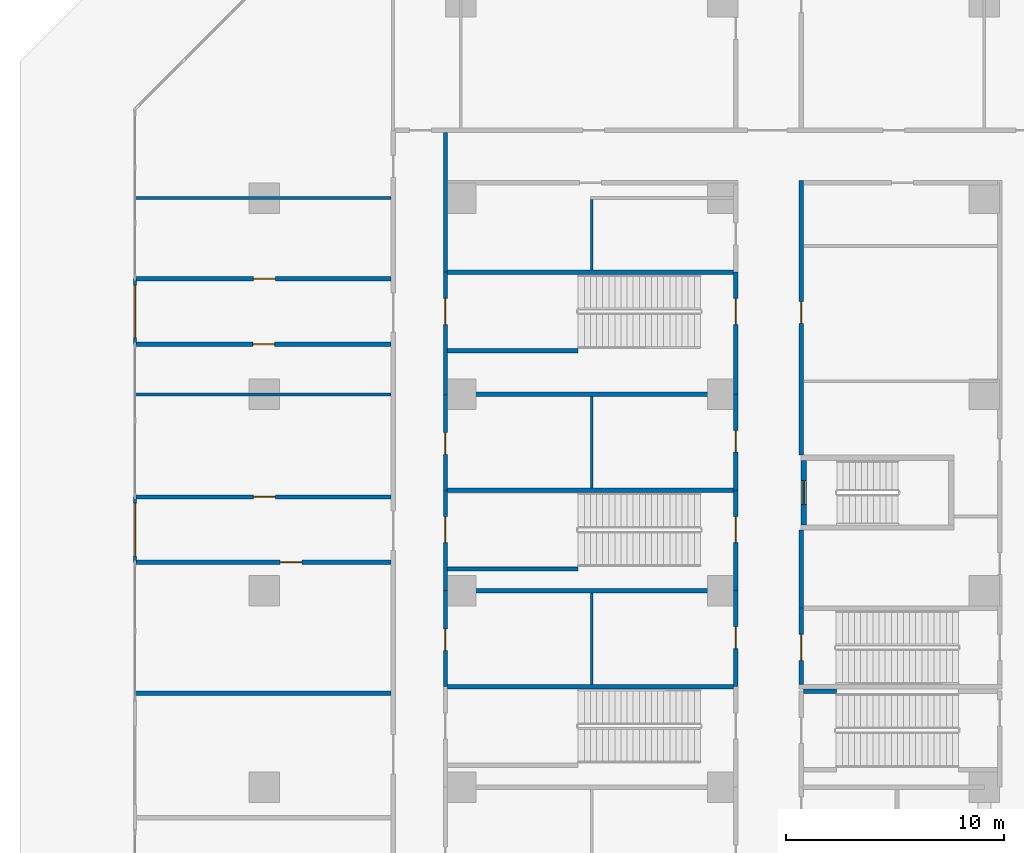
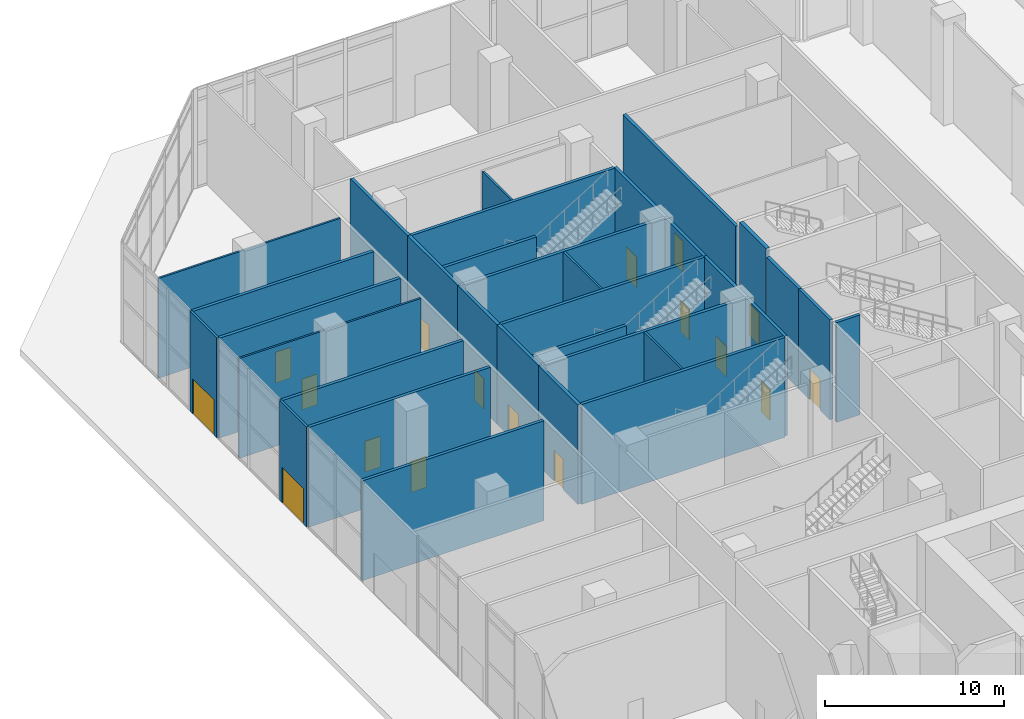
# One storey, part 24 of 34: 33 walls, 17 doors, 17 openings.
"""IFC4 building model written with IfcOpenShell, lengths in metres."""

from ifc_helpers import new_model, si_unit, direction, frame, frame_2d, origin, place, context, subcontext, project, spatial, rectangle, extrude, material, layer, layer_set, type_object, element, fill, save


model = new_model("IFC4")

# Units and contexts
model_context = context("Model", 3, precision=1e-05, world=origin(), true_north=direction((0.0, 1.0)))
body_context = subcontext(model_context, "Body", "Model", "MODEL_VIEW")
ifc_project = project(units=[si_unit("LENGTHUNIT", "METRE"), si_unit("AREAUNIT", "SQUARE_METRE"), si_unit("VOLUMEUNIT", "CUBIC_METRE"), si_unit("PLANEANGLEUNIT", "RADIAN"), si_unit("MASSUNIT", "GRAM", prefix="KILO")], contexts=[model_context])

# Site, building, storey
site_placement = place(None, origin())
site = spatial("IfcSite", under=ifc_project, at=site_placement, CompositionType="ELEMENT")
building_placement = place(site_placement, origin())
building = spatial("IfcBuilding", under=site, at=building_placement, Name="Chenar Terraces", CompositionType="ELEMENT")
storey_placement = place(building_placement, origin())
storey = spatial("IfcBuildingStorey", under=building, at=storey_placement, Name="L00", CompositionType="ELEMENT", Elevation=0.0)

# Walls
ifc_material_1 = material(Name="Gypsum board on steel studs with mineral wool", Category="steel")
ifc_layer_1 = layer(ifc_material_1, 0.125)
ifc_layer_set_1 = layer_set([ifc_layer_1], Name="Gypsum board on steel studs with mineral wool")
wall_type_1 = type_object("IfcWallType", Name="Acoustic partition 125", PredefinedType="PARTITIONING", material=ifc_layer_set_1)
for number, where, z_axis, x_axis, name in (
    (1, (-14.925048828125, 54.0, 0.0), (0.0, 0.0, 1.0), (1.0, 0.0, 0.0), "Partition L00-009"),
    (2, (-14.925048828125, 63.0, 0.0), (0.0, 0.0, 1.0), (1.0, 0.0, 0.0), "Partition L00-012"),
):
    element("IfcWall", number, at=place(storey_placement, frame(where, z_axis=z_axis, x_axis=x_axis)), inside=storey, type_object=wall_type_1, Name=name, PredefinedType="PARTITIONING", context=body_context, shape_type="SweptSolid", body=[
        extrude(rectangle(XDim=11.72509765625, YDim=0.125, at=frame_2d((5.862548828125, 0.0))), origin(), (0.0, 0.0, 1.0), 6.800048828125),
    ])
for number, where, z_axis, x_axis, name in (
    (3, (6.0, 40.699951171875, 0.0), (0.0, 0.0, 1.0), (0.0, 1.0, 0.0), "Partition L00-044"),
    (4, (6.0, 49.699951171875, 0.0), (0.0, 0.0, 1.0), (0.0, 1.0, 0.0), "Partition L00-045"),
):
    element("IfcWall", number, at=place(storey_placement, frame(where, z_axis=z_axis, x_axis=x_axis)), inside=storey, type_object=wall_type_1, Name=name, PredefinedType="PARTITIONING", context=body_context, shape_type="SweptSolid", body=[
        extrude(rectangle(XDim=4.199951171875, YDim=0.125, at=frame_2d((2.10009765625, 0.0))), origin(), (0.0, 0.0, 1.0), 6.800048828125),
    ])
wall_1_placement = place(storey_placement, frame((6.0, 59.699951171875, 0.0), z_axis=(0.0, 0.0, 1.0), x_axis=(0.0, 1.0, 0.0)))
element("IfcWall", 5, at=wall_1_placement, inside=storey, type_object=wall_type_1, Name="Partition L00-046", PredefinedType="PARTITIONING", context=body_context, shape_type="SweptSolid", body=[
    extrude(rectangle(XDim=3.238037109375, YDim=0.125, at=frame_2d((1.619140625, 0.0))), origin(), (0.0, 0.0, 1.0), 6.800048828125),
])

# Wall, opening, door
ifc_material_2 = material(Name="Concrete C70/85", Category="concrete")
ifc_layer_2 = layer(ifc_material_2, 0.25)
ifc_layer_set_2 = layer_set([ifc_layer_2], Name="Concrete C70/85")
wall_type_2 = type_object("IfcWallType", Name="Core wall 250 Concrete C70/85", PredefinedType="SHEAR", material=ifc_layer_set_2)
wall_2_placement = place(storey_placement, frame((15.72509765625, 48.02490234375, 0.0), z_axis=(0.0, 0.0, 1.0), x_axis=(0.0, 1.0, 0.0)))
wall_2 = element("IfcWall", 6, at=wall_2_placement, inside=storey, type_object=wall_type_2, Name="Core wall ST4_W L00", PredefinedType="SHEAR", context=body_context, shape_type="SweptSolid", body=[
    extrude(rectangle(XDim=2.9501953125, YDim=0.25, at=frame_2d((1.47509765625, 0.0))), origin(), (0.0, 0.0, 1.0), 7.199951171875),
])
opening_1_placement = place(wall_2_placement, frame((0.925048828125, 0.0, 0.0)))
opening_1 = element("IfcOpeningElement", 7, at=opening_1_placement, cuts=wall_2, Name="Opening DL00-C9", PredefinedType="OPENING", context=body_context, shape_type="SweptSolid", body=[
    extrude(rectangle(XDim=1.10009765625, YDim=2.199951171875, at=frame_2d((0.550048828125, 1.10009765625))), frame((0.0, 0.135009765625, 0.0), z_axis=(0.0, -1.0, 0.0), x_axis=(1.0, 0.0, 0.0)), (0.0, 0.0, 1.0), 0.27001953125),
])
ifc_material_3 = material(Name="Steel-framed fire-resisting door leaf", Category="steel")
door_type_1 = type_object("IfcDoorType", Name="Stair fire door FD60 1100 x 2200", OperationType="SINGLE_SWING_LEFT", PredefinedType="DOOR", material=ifc_material_3)
door_1_placement = place(opening_1_placement, frame((1.10009765625, 0.0, 0.0), z_axis=(0.0, 0.0, 1.0), x_axis=(-1.0, 0.0, 0.0)))
door_1 = element("IfcDoor", 8, at=door_1_placement, inside=storey, type_object=door_type_1, Name="Stair door DL00-C9", OperationType="SINGLE_SWING_RIGHT", OverallHeight=2.199951171875, OverallWidth=1.10009765625, PredefinedType="DOOR", context=body_context, shape_type="SweptSolid", body=[
    extrude(rectangle(XDim=1.10009765625, YDim=2.199951171875, at=frame_2d((0.550048828125, 1.10009765625))), frame((0.0, 0.02490234375, 0.0), z_axis=(0.0, -1.0, 0.0), x_axis=(1.0, 0.0, 0.0)), (0.0, 0.0, 1.0), 0.050048828125),
])
fill(opening_1, door_1)

# Wall
ifc_material_4 = material(Name="Gypsum board on steel studs with fire boards", Category="steel")
ifc_layer_3 = layer(ifc_material_4, 0.199951171875)
ifc_layer_set_3 = layer_set([ifc_layer_3], Name="Gypsum board on steel studs with fire boards")
wall_type_3 = type_object("IfcWallType", Name="Corridor wall 200", PredefinedType="PARTITIONING", material=ifc_layer_set_3)
wall_3_placement = place(storey_placement, frame((-14.925048828125, 40.300048828125, 0.0), z_axis=(0.0, 0.0, 1.0), x_axis=(1.0, 0.0, 0.0)))
element("IfcWall", 9, at=wall_3_placement, inside=storey, type_object=wall_type_3, Name="Partition L00-006", PredefinedType="PARTITIONING", context=body_context, shape_type="SweptSolid", body=[
    extrude(rectangle(XDim=11.72509765625, YDim=0.199951171875, at=frame_2d((5.862548828125, 0.0))), origin(), (0.0, 0.0, 1.0), 6.800048828125),
])

# Wall, opening, door
wall_4_placement = place(storey_placement, frame((-14.925048828125, 46.300048828125, 0.0), z_axis=(0.0, 0.0, 1.0), x_axis=(1.0, 0.0, 0.0)))
wall_4 = element("IfcWall", 10, at=wall_4_placement, inside=storey, type_object=wall_type_3, Name="Partition L00-007", PredefinedType="PARTITIONING", context=body_context, shape_type="SweptSolid", body=[
    extrude(rectangle(XDim=11.72509765625, YDim=0.199951171875, at=frame_2d((5.862548828125, 0.0))), origin(), (0.0, 0.0, 1.0), 6.800048828125),
])
opening_2_placement = place(wall_4_placement, frame((6.64990234375, 0.0, 0.0)))
opening_2 = element("IfcOpeningElement", 11, at=opening_2_placement, cuts=wall_4, Name="Opening DL00-78", PredefinedType="OPENING", context=body_context, shape_type="SweptSolid", body=[
    extrude(rectangle(XDim=1.0, YDim=2.10009765625, at=frame_2d((0.5, 1.050048828125))), frame((0.0, 0.10986328125, 0.0), z_axis=(0.0, -1.0, 0.0), x_axis=(1.0, 0.0, 0.0)), (0.0, 0.0, 1.0), 0.219970703125),
])
ifc_material_5 = material(Name="Steel-framed fire-resisting door leaf", Category="steel")
door_type_2 = type_object("IfcDoorType", Name="Fire door FD60 1000 x 2100", OperationType="SINGLE_SWING_LEFT", PredefinedType="DOOR", material=ifc_material_5)
door_2_placement = place(opening_2_placement, frame((1.0, 0.0, 0.0), z_axis=(0.0, 0.0, 1.0), x_axis=(-1.0, 0.0, 0.0)))
door_2 = element("IfcDoor", 12, at=door_2_placement, inside=storey, type_object=door_type_2, Name="Door DL00-78", OperationType="SINGLE_SWING_LEFT", OverallHeight=2.10009765625, OverallWidth=1.0, PredefinedType="DOOR", context=body_context, shape_type="SweptSolid", body=[
    extrude(rectangle(XDim=1.0, YDim=2.10009765625, at=frame_2d((0.5, 1.050048828125))), frame((0.0, 0.02490234375, 0.0), z_axis=(0.0, -1.0, 0.0), x_axis=(1.0, 0.0, 0.0)), (0.0, 0.0, 1.0), 0.050048828125),
])
fill(opening_2, door_2)

wall_5_placement = place(storey_placement, frame((-14.925048828125, 49.300048828125, 0.0), z_axis=(0.0, 0.0, 1.0), x_axis=(1.0, 0.0, 0.0)))
wall_5 = element("IfcWall", 13, at=wall_5_placement, inside=storey, type_object=wall_type_3, Name="Partition L00-008", PredefinedType="PARTITIONING", context=body_context, shape_type="SweptSolid", body=[
    extrude(rectangle(XDim=11.72509765625, YDim=0.199951171875, at=frame_2d((5.862548828125, 0.0))), origin(), (0.0, 0.0, 1.0), 6.800048828125),
])
opening_3_placement = place(wall_5_placement, frame((5.425048828125, 0.0, 0.0)))
opening_3 = element("IfcOpeningElement", 14, at=opening_3_placement, cuts=wall_5, Name="Opening DL00-79", PredefinedType="OPENING", context=body_context, shape_type="SweptSolid", body=[
    extrude(rectangle(XDim=1.0, YDim=2.10009765625, at=frame_2d((0.5, 1.050048828125))), frame((0.0, 0.10986328125, 0.0), z_axis=(0.0, -1.0, 0.0), x_axis=(1.0, 0.0, 0.0)), (0.0, 0.0, 1.0), 0.219970703125),
])
door_3_placement = place(opening_3_placement, origin())
door_3 = element("IfcDoor", 15, at=door_3_placement, inside=storey, type_object=door_type_2, Name="Door DL00-79", OperationType="SINGLE_SWING_RIGHT", OverallHeight=2.10009765625, OverallWidth=1.0, PredefinedType="DOOR", context=body_context, shape_type="SweptSolid", body=[
    extrude(rectangle(XDim=1.0, YDim=2.10009765625, at=frame_2d((0.5, 1.050048828125))), frame((0.0, 0.02490234375, 0.0), z_axis=(0.0, -1.0, 0.0), x_axis=(1.0, 0.0, 0.0)), (0.0, 0.0, 1.0), 0.050048828125),
])
fill(opening_3, door_3)

wall_6_placement = place(storey_placement, frame((-14.925048828125, 56.300048828125, 0.0), z_axis=(0.0, 0.0, 1.0), x_axis=(1.0, 0.0, 0.0)))
wall_6 = element("IfcWall", 16, at=wall_6_placement, inside=storey, type_object=wall_type_3, Name="Partition L00-010", PredefinedType="PARTITIONING", context=body_context, shape_type="SweptSolid", body=[
    extrude(rectangle(XDim=11.72509765625, YDim=0.199951171875, at=frame_2d((5.862548828125, 0.0))), origin(), (0.0, 0.0, 1.0), 6.800048828125),
])
opening_4_placement = place(wall_6_placement, frame((5.39990234375, 0.0, 0.0)))
opening_4 = element("IfcOpeningElement", 17, at=opening_4_placement, cuts=wall_6, Name="Opening DL00-80", PredefinedType="OPENING", context=body_context, shape_type="SweptSolid", body=[
    extrude(rectangle(XDim=1.0, YDim=2.10009765625, at=frame_2d((0.5, 1.050048828125))), frame((0.0, 0.10986328125, 0.0), z_axis=(0.0, -1.0, 0.0), x_axis=(1.0, 0.0, 0.0)), (0.0, 0.0, 1.0), 0.219970703125),
])
door_4_placement = place(opening_4_placement, frame((1.0, 0.0, 0.0), z_axis=(0.0, 0.0, 1.0), x_axis=(-1.0, 0.0, 0.0)))
door_4 = element("IfcDoor", 18, at=door_4_placement, inside=storey, type_object=door_type_2, Name="Door DL00-80", OperationType="SINGLE_SWING_LEFT", OverallHeight=2.10009765625, OverallWidth=1.0, PredefinedType="DOOR", context=body_context, shape_type="SweptSolid", body=[
    extrude(rectangle(XDim=1.0, YDim=2.10009765625, at=frame_2d((0.5, 1.050048828125))), frame((0.0, 0.02490234375, 0.0), z_axis=(0.0, -1.0, 0.0), x_axis=(1.0, 0.0, 0.0)), (0.0, 0.0, 1.0), 0.050048828125),
])
fill(opening_4, door_4)

wall_7_placement = place(storey_placement, frame((-14.925048828125, 59.300048828125, 0.0), z_axis=(0.0, 0.0, 1.0), x_axis=(1.0, 0.0, 0.0)))
wall_7 = element("IfcWall", 19, at=wall_7_placement, inside=storey, type_object=wall_type_3, Name="Partition L00-011", PredefinedType="PARTITIONING", context=body_context, shape_type="SweptSolid", body=[
    extrude(rectangle(XDim=11.72509765625, YDim=0.199951171875, at=frame_2d((5.862548828125, 0.0))), origin(), (0.0, 0.0, 1.0), 6.800048828125),
])
opening_5_placement = place(wall_7_placement, frame((5.425048828125, 0.0, 0.0)))
opening_5 = element("IfcOpeningElement", 20, at=opening_5_placement, cuts=wall_7, Name="Opening DL00-81", PredefinedType="OPENING", context=body_context, shape_type="SweptSolid", body=[
    extrude(rectangle(XDim=1.0, YDim=2.10009765625, at=frame_2d((0.5, 1.050048828125))), frame((0.0, 0.10986328125, 0.0), z_axis=(0.0, -1.0, 0.0), x_axis=(1.0, 0.0, 0.0)), (0.0, 0.0, 1.0), 0.219970703125),
])
door_5_placement = place(opening_5_placement, origin())
door_5 = element("IfcDoor", 21, at=door_5_placement, inside=storey, type_object=door_type_2, Name="Door DL00-81", OperationType="SINGLE_SWING_RIGHT", OverallHeight=2.10009765625, OverallWidth=1.0, PredefinedType="DOOR", context=body_context, shape_type="SweptSolid", body=[
    extrude(rectangle(XDim=1.0, YDim=2.10009765625, at=frame_2d((0.5, 1.050048828125))), frame((0.0, 0.02490234375, 0.0), z_axis=(0.0, -1.0, 0.0), x_axis=(1.0, 0.0, 0.0)), (0.0, 0.0, 1.0), 0.050048828125),
])
fill(opening_5, door_5)

wall_8_placement = place(storey_placement, frame((-0.699951171875, 40.60009765625, 0.0), z_axis=(0.0, 0.0, 1.0), x_axis=(0.0, 1.0, 0.0)))
wall_8 = element("IfcWall", 22, at=wall_8_placement, inside=storey, type_object=wall_type_3, Name="Partition L00-024", PredefinedType="PARTITIONING", context=body_context, shape_type="SweptSolid", body=[
    extrude(rectangle(XDim=4.39990234375, YDim=0.199951171875, at=frame_2d((2.199951171875, 0.0))), origin(), (0.0, 0.0, 1.0), 6.800048828125),
])
opening_6_placement = place(wall_8_placement, frame((1.64990234375, 0.0, 0.0)))
opening_6 = element("IfcOpeningElement", 23, at=opening_6_placement, cuts=wall_8, Name="Opening DL00-36", PredefinedType="OPENING", context=body_context, shape_type="SweptSolid", body=[
    extrude(rectangle(XDim=1.0, YDim=2.10009765625, at=frame_2d((0.5, 1.050048828125))), frame((0.0, 0.10986328125, 0.0), z_axis=(0.0, -1.0, 0.0), x_axis=(1.0, 0.0, 0.0)), (0.0, 0.0, 1.0), 0.219970703125),
])
door_6_placement = place(opening_6_placement, frame((1.0, 0.0, 0.0), z_axis=(0.0, 0.0, 1.0), x_axis=(-1.0, 0.0, 0.0)))
door_6 = element("IfcDoor", 24, at=door_6_placement, inside=storey, type_object=door_type_2, Name="Door DL00-36", OperationType="SINGLE_SWING_LEFT", OverallHeight=2.10009765625, OverallWidth=1.0, PredefinedType="DOOR", context=body_context, shape_type="SweptSolid", body=[
    extrude(rectangle(XDim=1.0, YDim=2.10009765625, at=frame_2d((0.5, 1.050048828125))), frame((0.0, 0.02490234375, 0.0), z_axis=(0.0, -1.0, 0.0), x_axis=(1.0, 0.0, 0.0)), (0.0, 0.0, 1.0), 0.050048828125),
])
fill(opening_6, door_6)

wall_9_placement = place(storey_placement, frame((-0.699951171875, 49.60009765625, 0.0), z_axis=(0.0, 0.0, 1.0), x_axis=(0.0, 1.0, 0.0)))
wall_9 = element("IfcWall", 25, at=wall_9_placement, inside=storey, type_object=wall_type_3, Name="Partition L00-026", PredefinedType="PARTITIONING", context=body_context, shape_type="SweptSolid", body=[
    extrude(rectangle(XDim=4.39990234375, YDim=0.199951171875, at=frame_2d((2.199951171875, 0.0))), origin(), (0.0, 0.0, 1.0), 6.800048828125),
])
opening_7_placement = place(wall_9_placement, frame((1.64990234375, 0.0, 0.0)))
opening_7 = element("IfcOpeningElement", 26, at=opening_7_placement, cuts=wall_9, Name="Opening DL00-37", PredefinedType="OPENING", context=body_context, shape_type="SweptSolid", body=[
    extrude(rectangle(XDim=1.0, YDim=2.10009765625, at=frame_2d((0.5, 1.050048828125))), frame((0.0, 0.10986328125, 0.0), z_axis=(0.0, -1.0, 0.0), x_axis=(1.0, 0.0, 0.0)), (0.0, 0.0, 1.0), 0.219970703125),
])
door_7_placement = place(opening_7_placement, frame((1.0, 0.0, 0.0), z_axis=(0.0, 0.0, 1.0), x_axis=(-1.0, 0.0, 0.0)))
door_7 = element("IfcDoor", 27, at=door_7_placement, inside=storey, type_object=door_type_2, Name="Door DL00-37", OperationType="SINGLE_SWING_LEFT", OverallHeight=2.10009765625, OverallWidth=1.0, PredefinedType="DOOR", context=body_context, shape_type="SweptSolid", body=[
    extrude(rectangle(XDim=1.0, YDim=2.10009765625, at=frame_2d((0.5, 1.050048828125))), frame((0.0, 0.02490234375, 0.0), z_axis=(0.0, -1.0, 0.0), x_axis=(1.0, 0.0, 0.0)), (0.0, 0.0, 1.0), 0.050048828125),
])
fill(opening_7, door_7)

# Wall
wall_10_placement = place(storey_placement, frame((-0.699951171875, 59.60009765625, 0.0), z_axis=(0.0, 0.0, 1.0), x_axis=(0.0, 1.0, 0.0)))
element("IfcWall", 28, at=wall_10_placement, inside=storey, type_object=wall_type_3, Name="Partition L00-028", PredefinedType="PARTITIONING", context=body_context, shape_type="SweptSolid", body=[
    extrude(rectangle(XDim=6.39990234375, YDim=0.199951171875, at=frame_2d((3.199951171875, 0.0))), origin(), (0.0, 0.0, 1.0), 6.800048828125),
])

# Wall, opening, door
wall_11_placement = place(storey_placement, frame((12.60009765625, 40.60009765625, 0.0), z_axis=(0.0, 0.0, 1.0), x_axis=(0.0, 1.0, 0.0)))
wall_11 = element("IfcWall", 29, at=wall_11_placement, inside=storey, type_object=wall_type_3, Name="Partition L00-052", PredefinedType="PARTITIONING", context=body_context, shape_type="SweptSolid", body=[
    extrude(rectangle(XDim=4.39990234375, YDim=0.199951171875, at=frame_2d((2.199951171875, 0.0))), origin(), (0.0, 0.0, 1.0), 6.800048828125),
])
opening_8_placement = place(wall_11_placement, frame((1.75, 0.0, 0.0)))
opening_8 = element("IfcOpeningElement", 30, at=opening_8_placement, cuts=wall_11, Name="Opening DL00-11", PredefinedType="OPENING", context=body_context, shape_type="SweptSolid", body=[
    extrude(rectangle(XDim=1.0, YDim=2.10009765625, at=frame_2d((0.5, 1.050048828125))), frame((0.0, 0.10986328125, 0.0), z_axis=(0.0, -1.0, 0.0), x_axis=(1.0, 0.0, 0.0)), (0.0, 0.0, 1.0), 0.219970703125),
])
door_8_placement = place(opening_8_placement, origin())
door_8 = element("IfcDoor", 31, at=door_8_placement, inside=storey, type_object=door_type_2, Name="Door DL00-11", OperationType="SINGLE_SWING_RIGHT", OverallHeight=2.10009765625, OverallWidth=1.0, PredefinedType="DOOR", context=body_context, shape_type="SweptSolid", body=[
    extrude(rectangle(XDim=1.0, YDim=2.10009765625, at=frame_2d((0.5, 1.050048828125))), frame((0.0, 0.02490234375, 0.0), z_axis=(0.0, -1.0, 0.0), x_axis=(1.0, 0.0, 0.0)), (0.0, 0.0, 1.0), 0.050048828125),
])
fill(opening_8, door_8)

wall_12_placement = place(storey_placement, frame((12.60009765625, 49.60009765625, 0.0), z_axis=(0.0, 0.0, 1.0), x_axis=(0.0, 1.0, 0.0)))
wall_12 = element("IfcWall", 32, at=wall_12_placement, inside=storey, type_object=wall_type_3, Name="Partition L00-054", PredefinedType="PARTITIONING", context=body_context, shape_type="SweptSolid", body=[
    extrude(rectangle(XDim=4.39990234375, YDim=0.199951171875, at=frame_2d((2.199951171875, 0.0))), origin(), (0.0, 0.0, 1.0), 6.800048828125),
])
opening_9_placement = place(wall_12_placement, frame((1.75, 0.0, 0.0)))
opening_9 = element("IfcOpeningElement", 33, at=opening_9_placement, cuts=wall_12, Name="Opening DL00-12", PredefinedType="OPENING", context=body_context, shape_type="SweptSolid", body=[
    extrude(rectangle(XDim=1.0, YDim=2.10009765625, at=frame_2d((0.5, 1.050048828125))), frame((0.0, 0.10986328125, 0.0), z_axis=(0.0, -1.0, 0.0), x_axis=(1.0, 0.0, 0.0)), (0.0, 0.0, 1.0), 0.219970703125),
])
door_9_placement = place(opening_9_placement, origin())
door_9 = element("IfcDoor", 34, at=door_9_placement, inside=storey, type_object=door_type_2, Name="Door DL00-12", OperationType="SINGLE_SWING_RIGHT", OverallHeight=2.10009765625, OverallWidth=1.0, PredefinedType="DOOR", context=body_context, shape_type="SweptSolid", body=[
    extrude(rectangle(XDim=1.0, YDim=2.10009765625, at=frame_2d((0.5, 1.050048828125))), frame((0.0, 0.02490234375, 0.0), z_axis=(0.0, -1.0, 0.0), x_axis=(1.0, 0.0, 0.0)), (0.0, 0.0, 1.0), 0.050048828125),
])
fill(opening_9, door_9)

# Wall
wall_13_placement = place(storey_placement, frame((15.60009765625, 44.199951171875, 0.0), z_axis=(0.0, 0.0, 1.0), x_axis=(0.0, 1.0, 0.0)))
element("IfcWall", 35, at=wall_13_placement, inside=storey, type_object=wall_type_3, Name="Partition L00-062", PredefinedType="PARTITIONING", context=body_context, shape_type="SweptSolid", body=[
    extrude(rectangle(XDim=3.574951171875, YDim=0.199951171875, at=frame_2d((1.78759765625, 0.0))), origin(), (0.0, 0.0, 1.0), 6.800048828125),
])

# Wall, opening, door
wall_14_placement = place(storey_placement, frame((15.60009765625, 51.22509765625, 0.0), z_axis=(0.0, 0.0, 1.0), x_axis=(0.0, 1.0, 0.0)))
wall_14 = element("IfcWall", 36, at=wall_14_placement, inside=storey, type_object=wall_type_3, Name="Partition L00-063", PredefinedType="PARTITIONING", context=body_context, shape_type="SweptSolid", body=[
    extrude(rectangle(XDim=12.574951171875, YDim=0.199951171875, at=frame_2d((6.28759765625, 0.0))), origin(), (0.0, 0.0, 1.0), 6.800048828125),
])
opening_10_placement = place(wall_14_placement, frame((6.02490234375, 0.0, 0.0)))
opening_10 = element("IfcOpeningElement", 37, at=opening_10_placement, cuts=wall_14, Name="Opening DL00-25", PredefinedType="OPENING", context=body_context, shape_type="SweptSolid", body=[
    extrude(rectangle(XDim=1.0, YDim=2.10009765625, at=frame_2d((0.5, 1.050048828125))), frame((0.0, 0.10986328125, 0.0), z_axis=(0.0, -1.0, 0.0), x_axis=(1.0, 0.0, 0.0)), (0.0, 0.0, 1.0), 0.219970703125),
])
door_10_placement = place(opening_10_placement, frame((1.0, 0.0, 0.0), z_axis=(0.0, 0.0, 1.0), x_axis=(-1.0, 0.0, 0.0)))
door_10 = element("IfcDoor", 38, at=door_10_placement, inside=storey, type_object=door_type_2, Name="Door DL00-25", OperationType="SINGLE_SWING_LEFT", OverallHeight=2.10009765625, OverallWidth=1.0, PredefinedType="DOOR", context=body_context, shape_type="SweptSolid", body=[
    extrude(rectangle(XDim=1.0, YDim=2.10009765625, at=frame_2d((0.5, 1.050048828125))), frame((0.0, 0.02490234375, 0.0), z_axis=(0.0, -1.0, 0.0), x_axis=(1.0, 0.0, 0.0)), (0.0, 0.0, 1.0), 0.050048828125),
])
fill(opening_10, door_10)

ifc_material_6 = material(Name="Terracotta cladding on insulated backing", Category="masonry")
ifc_layer_4 = layer(ifc_material_6, 0.14990234375)
ifc_layer_set_4 = layer_set([ifc_layer_4], Name="Terracotta cladding on insulated backing")
wall_type_4 = type_object("IfcWallType", Name="Entrance wall 150", PredefinedType="SOLIDWALL", material=ifc_layer_set_4)
wall_15_placement = place(storey_placement, frame((-14.925048828125, 59.300048828125, 0.0), z_axis=(0.0, 0.0, 1.0), x_axis=(0.0, -1.0, 0.0)))
wall_15 = element("IfcWall", 39, at=wall_15_placement, inside=storey, type_object=wall_type_4, Name="Entrance wall", PredefinedType="SOLIDWALL", context=body_context, shape_type="SweptSolid", body=[
    extrude(rectangle(XDim=3.0, YDim=0.14990234375, at=frame_2d((1.5, 0.0))), origin(), (0.0, 0.0, 1.0), 6.800048828125),
])
opening_11_placement = place(wall_15_placement, frame((0.300048828125, 0.0, 0.0)))
opening_11 = element("IfcOpeningElement", 40, at=opening_11_placement, cuts=wall_15, Name="Opening DL00-X1", PredefinedType="OPENING", context=body_context, shape_type="SweptSolid", body=[
    extrude(rectangle(XDim=2.39990234375, YDim=2.39990234375, at=frame_2d((1.199951171875, 1.199951171875))), frame((0.0, 0.0849609375, 0.0), z_axis=(0.0, -1.0, 0.0), x_axis=(1.0, 0.0, 0.0)), (0.0, 0.0, 1.0), 0.169921875),
])
ifc_material_7 = material(Name="Low emissivity double glazing, aluminium frame", Category="aluminium")
door_type_3 = type_object("IfcDoorType", Name="Exit door set 2400 x 2400", OperationType="DOUBLE_DOOR_SINGLE_SWING", PredefinedType="DOOR", material=ifc_material_7)
door_11_placement = place(opening_11_placement, frame((2.39990234375, 0.0, 0.0), z_axis=(0.0, 0.0, 1.0), x_axis=(-1.0, 0.0, 0.0)))
door_11 = element("IfcDoor", 41, at=door_11_placement, inside=storey, type_object=door_type_3, Name="Exit door", OperationType="DOUBLE_DOOR_SINGLE_SWING", OverallHeight=2.39990234375, OverallWidth=2.39990234375, PredefinedType="DOOR", context=body_context, shape_type="SweptSolid", body=[
    extrude(rectangle(XDim=2.39990234375, YDim=2.39990234375, at=frame_2d((1.199951171875, 1.199951171875))), frame((0.0, 0.02490234375, 0.0), z_axis=(0.0, -1.0, 0.0), x_axis=(1.0, 0.0, 0.0)), (0.0, 0.0, 1.0), 0.050048828125),
])
fill(opening_11, door_11)

wall_16_placement = place(storey_placement, frame((-14.925048828125, 49.300048828125, 0.0), z_axis=(0.0, 0.0, 1.0), x_axis=(0.0, -1.0, 0.0)))
wall_16 = element("IfcWall", 42, at=wall_16_placement, inside=storey, type_object=wall_type_4, Name="Entrance wall", PredefinedType="SOLIDWALL", context=body_context, shape_type="SweptSolid", body=[
    extrude(rectangle(XDim=3.0, YDim=0.14990234375, at=frame_2d((1.5, 0.0))), origin(), (0.0, 0.0, 1.0), 6.800048828125),
])
opening_12_placement = place(wall_16_placement, frame((0.300048828125, 0.0, 0.0)))
opening_12 = element("IfcOpeningElement", 43, at=opening_12_placement, cuts=wall_16, Name="Opening DL00-X2", PredefinedType="OPENING", context=body_context, shape_type="SweptSolid", body=[
    extrude(rectangle(XDim=2.39990234375, YDim=2.39990234375, at=frame_2d((1.199951171875, 1.199951171875))), frame((0.0, 0.0849609375, 0.0), z_axis=(0.0, -1.0, 0.0), x_axis=(1.0, 0.0, 0.0)), (0.0, 0.0, 1.0), 0.169921875),
])
door_12_placement = place(opening_12_placement, frame((2.39990234375, 0.0, 0.0), z_axis=(0.0, 0.0, 1.0), x_axis=(-1.0, 0.0, 0.0)))
door_12 = element("IfcDoor", 44, at=door_12_placement, inside=storey, type_object=door_type_3, Name="Exit door", OperationType="DOUBLE_DOOR_SINGLE_SWING", OverallHeight=2.39990234375, OverallWidth=2.39990234375, PredefinedType="DOOR", context=body_context, shape_type="SweptSolid", body=[
    extrude(rectangle(XDim=2.39990234375, YDim=2.39990234375, at=frame_2d((1.199951171875, 1.199951171875))), frame((0.0, 0.02490234375, 0.0), z_axis=(0.0, -1.0, 0.0), x_axis=(1.0, 0.0, 0.0)), (0.0, 0.0, 1.0), 0.050048828125),
])
fill(opening_12, door_12)

ifc_material_8 = material(Name="Reinforced concrete C40/50", Category="concrete")
ifc_layer_5 = layer(ifc_material_8, 0.199951171875)
ifc_layer_set_5 = layer_set([ifc_layer_5], Name="Reinforced concrete C40/50")
wall_type_5 = type_object("IfcWallType", Name="Stair enclosure wall 200 concrete", PredefinedType="SOLIDWALL", material=ifc_layer_set_5)
wall_17_placement = place(storey_placement, frame((-0.699951171875, 45.0, 0.0), z_axis=(0.0, 0.0, 1.0), x_axis=(0.0, 1.0, 0.0)))
wall_17 = element("IfcWall", 45, at=wall_17_placement, inside=storey, type_object=wall_type_5, Name="Stair enclosure wall L00-025", PredefinedType="SOLIDWALL", context=body_context, shape_type="SweptSolid", body=[
    extrude(rectangle(XDim=4.60009765625, YDim=0.199951171875, at=frame_2d((2.300048828125, 0.0))), origin(), (0.0, 0.0, 1.0), 6.800048828125),
])
opening_13_placement = place(wall_17_placement, frame((2.199951171875, 0.0, 0.0)))
opening_13 = element("IfcOpeningElement", 46, at=opening_13_placement, cuts=wall_17, Name="Opening DL00-90", PredefinedType="OPENING", context=body_context, shape_type="SweptSolid", body=[
    extrude(rectangle(XDim=1.199951171875, YDim=2.10009765625, at=frame_2d((0.60009765625, 1.050048828125))), frame((0.0, 0.10986328125, 0.0), z_axis=(0.0, -1.0, 0.0), x_axis=(1.0, 0.0, 0.0)), (0.0, 0.0, 1.0), 0.219970703125),
])
ifc_material_9 = material(Name="Steel-framed fire-resisting door leaf", Category="steel")
door_type_4 = type_object("IfcDoorType", Name="Fire door FD120 1200 x 2100", OperationType="SINGLE_SWING_LEFT", PredefinedType="DOOR", material=ifc_material_9)
door_13_placement = place(opening_13_placement, frame((1.199951171875, 0.0, 0.0), z_axis=(0.0, 0.0, 1.0), x_axis=(-1.0, 0.0, 0.0)))
door_13 = element("IfcDoor", 47, at=door_13_placement, inside=storey, type_object=door_type_4, Name="Door DL00-90", OperationType="SINGLE_SWING_LEFT", OverallHeight=2.10009765625, OverallWidth=1.199951171875, PredefinedType="DOOR", context=body_context, shape_type="SweptSolid", body=[
    extrude(rectangle(XDim=1.199951171875, YDim=2.10009765625, at=frame_2d((0.60009765625, 1.050048828125))), frame((0.0, 0.02490234375, 0.0), z_axis=(0.0, -1.0, 0.0), x_axis=(1.0, 0.0, 0.0)), (0.0, 0.0, 1.0), 0.050048828125),
])
fill(opening_13, door_13)

wall_18_placement = place(storey_placement, frame((-0.699951171875, 54.0, 0.0), z_axis=(0.0, 0.0, 1.0), x_axis=(0.0, 1.0, 0.0)))
wall_18 = element("IfcWall", 48, at=wall_18_placement, inside=storey, type_object=wall_type_5, Name="Stair enclosure wall L00-027", PredefinedType="SOLIDWALL", context=body_context, shape_type="SweptSolid", body=[
    extrude(rectangle(XDim=5.60009765625, YDim=0.199951171875, at=frame_2d((2.800048828125, 0.0))), origin(), (0.0, 0.0, 1.0), 6.800048828125),
])
opening_14_placement = place(wall_18_placement, frame((3.199951171875, 0.0, 0.0)))
opening_14 = element("IfcOpeningElement", 49, at=opening_14_placement, cuts=wall_18, Name="Opening DL00-88", PredefinedType="OPENING", context=body_context, shape_type="SweptSolid", body=[
    extrude(rectangle(XDim=1.199951171875, YDim=2.10009765625, at=frame_2d((0.60009765625, 1.050048828125))), frame((0.0, 0.10986328125, 0.0), z_axis=(0.0, -1.0, 0.0), x_axis=(1.0, 0.0, 0.0)), (0.0, 0.0, 1.0), 0.219970703125),
])
door_14_placement = place(opening_14_placement, frame((1.199951171875, 0.0, 0.0), z_axis=(0.0, 0.0, 1.0), x_axis=(-1.0, 0.0, 0.0)))
door_14 = element("IfcDoor", 50, at=door_14_placement, inside=storey, type_object=door_type_4, Name="Door DL00-88", OperationType="SINGLE_SWING_LEFT", OverallHeight=2.10009765625, OverallWidth=1.199951171875, PredefinedType="DOOR", context=body_context, shape_type="SweptSolid", body=[
    extrude(rectangle(XDim=1.199951171875, YDim=2.10009765625, at=frame_2d((0.60009765625, 1.050048828125))), frame((0.0, 0.02490234375, 0.0), z_axis=(0.0, -1.0, 0.0), x_axis=(1.0, 0.0, 0.0)), (0.0, 0.0, 1.0), 0.050048828125),
])
fill(opening_14, door_14)

# Walls
for number, where, z_axis, x_axis, name in (
    (51, (-0.60009765625, 40.60009765625, 0.0), (0.0, 0.0, 1.0), (1.0, 0.0, 0.0), "Stair enclosure wall L00-034"),
    (52, (-0.60009765625, 45.0, 0.0), (0.0, 0.0, 1.0), (1.0, 0.0, 0.0), "Stair enclosure wall L00-035"),
    (53, (-0.60009765625, 49.60009765625, 0.0), (0.0, 0.0, 1.0), (1.0, 0.0, 0.0), "Stair enclosure wall L00-036"),
    (54, (-0.60009765625, 54.0, 0.0), (0.0, 0.0, 1.0), (1.0, 0.0, 0.0), "Stair enclosure wall L00-037"),
    (55, (-0.60009765625, 59.60009765625, 0.0), (0.0, 0.0, 1.0), (1.0, 0.0, 0.0), "Stair enclosure wall L00-038"),
):
    element("IfcWall", number, at=place(storey_placement, frame(where, z_axis=z_axis, x_axis=x_axis)), inside=storey, type_object=wall_type_5, Name=name, PredefinedType="SOLIDWALL", context=body_context, shape_type="SweptSolid", body=[
        extrude(rectangle(XDim=13.10009765625, YDim=0.199951171875, at=frame_2d((6.550048828125, 0.0))), origin(), (0.0, 0.0, 1.0), 6.800048828125),
    ])

# Wall, opening, door
wall_19_placement = place(storey_placement, frame((12.60009765625, 45.0, 0.0), z_axis=(0.0, 0.0, 1.0), x_axis=(0.0, 1.0, 0.0)))
wall_19 = element("IfcWall", 56, at=wall_19_placement, inside=storey, type_object=wall_type_5, Name="Stair enclosure wall L00-053", PredefinedType="SOLIDWALL", context=body_context, shape_type="SweptSolid", body=[
    extrude(rectangle(XDim=4.60009765625, YDim=0.199951171875, at=frame_2d((2.300048828125, 0.0))), origin(), (0.0, 0.0, 1.0), 6.800048828125),
])
opening_15_placement = place(wall_19_placement, frame((2.199951171875, 0.0, 0.0)))
opening_15 = element("IfcOpeningElement", 57, at=opening_15_placement, cuts=wall_19, Name="Opening DL00-89", PredefinedType="OPENING", context=body_context, shape_type="SweptSolid", body=[
    extrude(rectangle(XDim=1.199951171875, YDim=2.10009765625, at=frame_2d((0.60009765625, 1.050048828125))), frame((0.0, 0.10986328125, 0.0), z_axis=(0.0, -1.0, 0.0), x_axis=(1.0, 0.0, 0.0)), (0.0, 0.0, 1.0), 0.219970703125),
])
door_15_placement = place(opening_15_placement, origin())
door_15 = element("IfcDoor", 58, at=door_15_placement, inside=storey, type_object=door_type_4, Name="Door DL00-89", OperationType="SINGLE_SWING_RIGHT", OverallHeight=2.10009765625, OverallWidth=1.199951171875, PredefinedType="DOOR", context=body_context, shape_type="SweptSolid", body=[
    extrude(rectangle(XDim=1.199951171875, YDim=2.10009765625, at=frame_2d((0.60009765625, 1.050048828125))), frame((0.0, 0.02490234375, 0.0), z_axis=(0.0, -1.0, 0.0), x_axis=(1.0, 0.0, 0.0)), (0.0, 0.0, 1.0), 0.050048828125),
])
fill(opening_15, door_15)

wall_20_placement = place(storey_placement, frame((12.60009765625, 54.0, 0.0), z_axis=(0.0, 0.0, 1.0), x_axis=(0.0, 1.0, 0.0)))
wall_20 = element("IfcWall", 59, at=wall_20_placement, inside=storey, type_object=wall_type_5, Name="Stair enclosure wall L00-055", PredefinedType="SOLIDWALL", context=body_context, shape_type="SweptSolid", body=[
    extrude(rectangle(XDim=5.60009765625, YDim=0.199951171875, at=frame_2d((2.800048828125, 0.0))), origin(), (0.0, 0.0, 1.0), 6.800048828125),
])
opening_16_placement = place(wall_20_placement, frame((3.199951171875, 0.0, 0.0)))
opening_16 = element("IfcOpeningElement", 60, at=opening_16_placement, cuts=wall_20, Name="Opening DL00-87", PredefinedType="OPENING", context=body_context, shape_type="SweptSolid", body=[
    extrude(rectangle(XDim=1.199951171875, YDim=2.10009765625, at=frame_2d((0.60009765625, 1.050048828125))), frame((0.0, 0.10986328125, 0.0), z_axis=(0.0, -1.0, 0.0), x_axis=(1.0, 0.0, 0.0)), (0.0, 0.0, 1.0), 0.219970703125),
])
door_16_placement = place(opening_16_placement, origin())
door_16 = element("IfcDoor", 61, at=door_16_placement, inside=storey, type_object=door_type_4, Name="Door DL00-87", OperationType="SINGLE_SWING_RIGHT", OverallHeight=2.10009765625, OverallWidth=1.199951171875, PredefinedType="DOOR", context=body_context, shape_type="SweptSolid", body=[
    extrude(rectangle(XDim=1.199951171875, YDim=2.10009765625, at=frame_2d((0.60009765625, 1.050048828125))), frame((0.0, 0.02490234375, 0.0), z_axis=(0.0, -1.0, 0.0), x_axis=(1.0, 0.0, 0.0)), (0.0, 0.0, 1.0), 0.050048828125),
])
fill(opening_16, door_16)

wall_21_placement = place(storey_placement, frame((15.60009765625, 40.699951171875, 0.0), z_axis=(0.0, 0.0, 1.0), x_axis=(0.0, 1.0, 0.0)))
wall_21 = element("IfcWall", 62, at=wall_21_placement, inside=storey, type_object=wall_type_5, Name="Stair enclosure wall L00-061", PredefinedType="SOLIDWALL", context=body_context, shape_type="SweptSolid", body=[
    extrude(rectangle(XDim=3.5, YDim=0.199951171875, at=frame_2d((1.75, 0.0))), origin(), (0.0, 0.0, 1.0), 6.800048828125),
])
opening_17_placement = place(wall_21_placement, frame((1.10009765625, 0.0, 0.0)))
opening_17 = element("IfcOpeningElement", 63, at=opening_17_placement, cuts=wall_21, Name="Opening DL00-97", PredefinedType="OPENING", context=body_context, shape_type="SweptSolid", body=[
    extrude(rectangle(XDim=1.199951171875, YDim=2.10009765625, at=frame_2d((0.60009765625, 1.050048828125))), frame((0.0, 0.10986328125, 0.0), z_axis=(0.0, -1.0, 0.0), x_axis=(1.0, 0.0, 0.0)), (0.0, 0.0, 1.0), 0.219970703125),
])
door_17_placement = place(opening_17_placement, frame((1.199951171875, 0.0, 0.0), z_axis=(0.0, 0.0, 1.0), x_axis=(-1.0, 0.0, 0.0)))
door_17 = element("IfcDoor", 64, at=door_17_placement, inside=storey, type_object=door_type_4, Name="Door DL00-97", OperationType="SINGLE_SWING_RIGHT", OverallHeight=2.10009765625, OverallWidth=1.199951171875, PredefinedType="DOOR", context=body_context, shape_type="SweptSolid", body=[
    extrude(rectangle(XDim=1.199951171875, YDim=2.10009765625, at=frame_2d((0.60009765625, 1.050048828125))), frame((0.0, 0.02490234375, 0.0), z_axis=(0.0, -1.0, 0.0), x_axis=(1.0, 0.0, 0.0)), (0.0, 0.0, 1.0), 0.050048828125),
])
fill(opening_17, door_17)

# Walls
for number, where, z_axis, x_axis, name in (
    (65, (-0.60009765625, 56.0, 0.0), (0.0, 0.0, 1.0), (1.0, 0.0, 0.0), "Stair enclosure wall L00-PS3-019"),
    (66, (-0.60009765625, 46.0, 0.0), (0.0, 0.0, 1.0), (1.0, 0.0, 0.0), "Stair enclosure wall L00-PS4-024"),
):
    element("IfcWall", number, at=place(storey_placement, frame(where, z_axis=z_axis, x_axis=x_axis)), inside=storey, type_object=wall_type_5, Name=name, PredefinedType="SOLIDWALL", context=body_context, shape_type="SweptSolid", body=[
        extrude(rectangle(XDim=5.985107421875, YDim=0.199951171875, at=frame_2d((2.99267578125, 0.0))), origin(), (0.0, 0.0, 1.0), 6.800048828125),
    ])
wall_22_placement = place(storey_placement, frame((15.699951171875, 40.39990234375, 0.0), z_axis=(0.0, 0.0, 1.0), x_axis=(1.0, 0.0, 0.0)))
element("IfcWall", 67, at=wall_22_placement, inside=storey, type_object=wall_type_5, Name="Stair enclosure wall L00-PS7-063", PredefinedType="SOLIDWALL", context=body_context, shape_type="SweptSolid", body=[
    extrude(rectangle(XDim=1.51513671875, YDim=0.199951171875, at=frame_2d((0.757568359375, 0.0))), origin(), (0.0, 0.0, 1.0), 6.800048828125),
])

save(model, "model.ifc")
